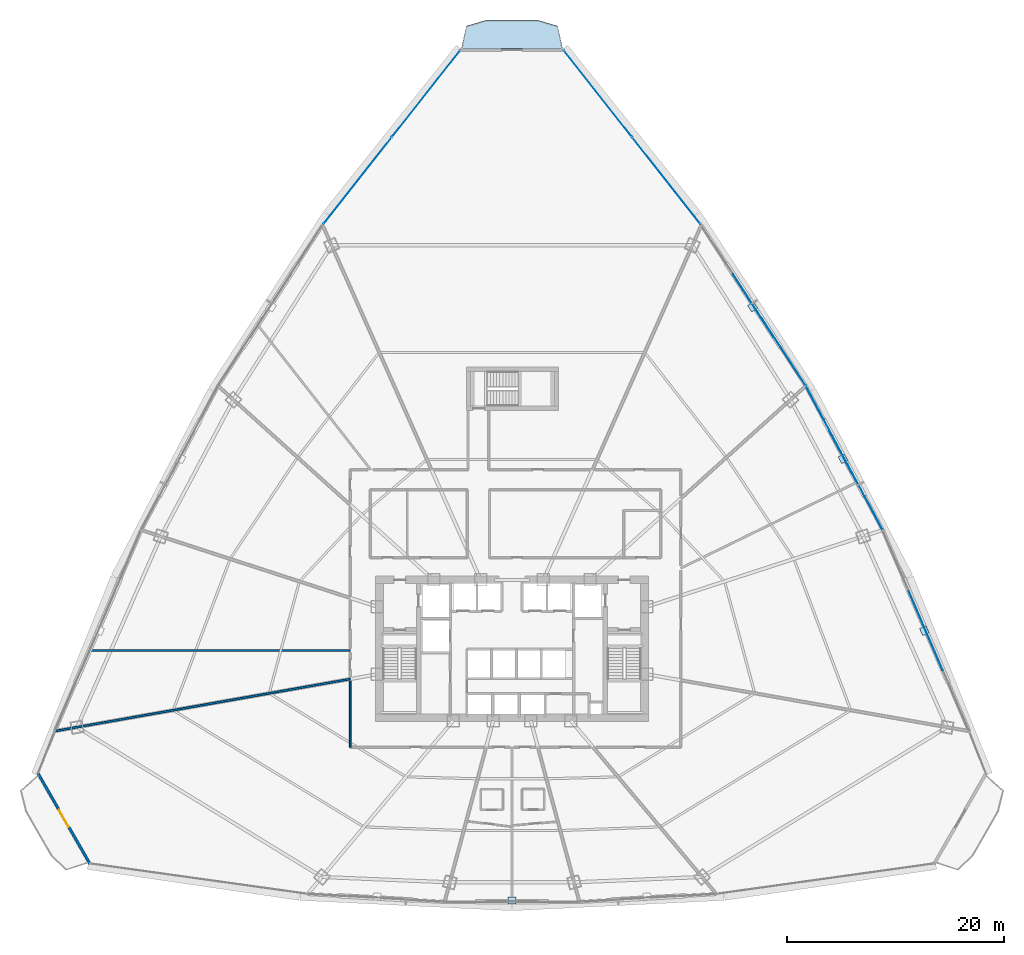
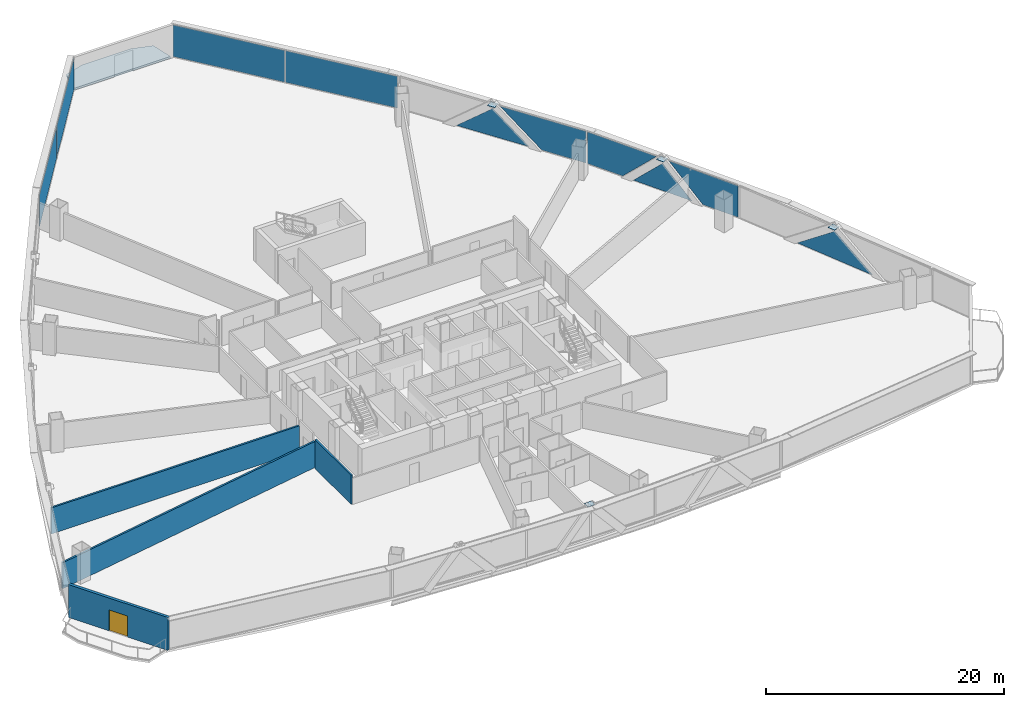
# One storey, part 29 of 38: 14 plates, 4 walls, 1 door, 1 slab, 1 opening, 5 elements without a shape of their own.
"""IFC4 building model written with IfcOpenShell, lengths in metres."""

from ifc_helpers import new_model, si_unit, direction, frame, frame_2d, origin, origin_with_axes, origin_2d, place, context, subcontext, project, spatial, polyline, rectangle, outline, extrude, source, transform, mapped, material, layer, layer_set, type_object, element, fill, aggregate, save


model = new_model("IFC4")

# Units and contexts
model_context = context("Model", 3, precision=1e-05, world=origin(), true_north=direction((0.0, 1.0)))
body_context = subcontext(model_context, "Body", "Model", "MODEL_VIEW")
ifc_project = project(units=[si_unit("LENGTHUNIT", "METRE"), si_unit("AREAUNIT", "SQUARE_METRE"), si_unit("VOLUMEUNIT", "CUBIC_METRE"), si_unit("PLANEANGLEUNIT", "RADIAN"), si_unit("MASSUNIT", "GRAM", prefix="KILO"), si_unit("THERMODYNAMICTEMPERATUREUNIT", "KELVIN"), si_unit("POWERUNIT", "WATT")], contexts=[model_context])

# Site, building, storey
site_placement = place(None, origin())
site = spatial("IfcSite", under=ifc_project, at=site_placement, CompositionType="ELEMENT")
building_placement = place(site_placement, origin())
building = spatial("IfcBuilding", under=site, at=building_placement, Name="Yunzhuo Pagoda Commons", CompositionType="ELEMENT")
storey_placement = place(building_placement, frame((0.0, 0.0, 37.659912109375)))
storey = spatial("IfcBuildingStorey", under=building, at=storey_placement, Name="L09", CompositionType="ELEMENT", Elevation=37.659912109375)

# Curtain wall, plate
ifc_material_1 = material(Name="Anodized aluminium 6063-T6", Category="aluminium")
ifc_layer_1 = layer(ifc_material_1, 0.1650390625)
ifc_layer_set_1 = layer_set([ifc_layer_1], Name="Anodized aluminium 6063-T6")
curtain_wall_type = type_object("IfcCurtainWallType", Name="CW-LOW Low-Zone Ribbon Curtain Wall", PredefinedType="NOTDEFINED", material=ifc_layer_set_1)
curtain_wall_1_placement = place(storey_placement, origin())
curtain_wall_1 = element("IfcCurtainWall", 1, at=curtain_wall_1_placement, inside=storey, type_object=curtain_wall_type, Name="L09 curtain wall CW-L09-F2B2", PredefinedType="NOTDEFINED")
ifc_material_2 = material(Name="Tempered low-e double glazing", Category="glass")
ifc_layer_2 = layer(ifc_material_2, 0.028076171875)
ifc_layer_set_2 = layer_set([ifc_layer_2], Name="Tempered low-e double glazing")
plate_type_1 = type_object("IfcPlateType", Name="CW-LOW-P Low-E Double Glazing 28", PredefinedType="CURTAIN_PANEL", material=ifc_layer_set_2)
plate_1_placement = place(storey_placement, frame((86.0791015625, 35.517578125, 1.48095703125), z_axis=(0.918745212535, 0.394850901535, 0.0), x_axis=(-0.394850901535, 0.918745212535, 0.0)))
plate_1 = element("IfcPlate", 2, at=plate_1_placement, type_object=plate_type_1, Name="CW panel 1.1 lite 2", PredefinedType="CURTAIN_PANEL", context=body_context, shape_type="SweptSolid", body=[
    extrude(outline(polyline([(-3.944091796875, -1.4208984375), (3.944091796875, -1.4208984375), (0.0, 1.4208984375), (-3.944091796875, -1.4208984375)])), origin(), (0.0, 0.0, 1.0), 0.028076171875),
])
aggregate(curtain_wall_1, [plate_1])

# Curtain wall, plates
curtain_wall_2_placement = place(storey_placement, origin())
curtain_wall_2 = element("IfcCurtainWall", 3, at=curtain_wall_2_placement, inside=storey, type_object=curtain_wall_type, Name="L09 curtain wall CW-L09-F2B3", PredefinedType="NOTDEFINED")
plate_2_placement = place(storey_placement, frame((80.4853515625, 47.863525390625, 1.68505859375), z_axis=(0.882141395132, 0.470984669595, 0.0), x_axis=(-0.470984669595, 0.882141395132, 0.0)))
plate_2 = element("IfcPlate", 4, at=plate_2_placement, type_object=plate_type_1, Name="CW panel 1.1 lite 1", PredefinedType="CURTAIN_PANEL", context=body_context, shape_type="SweptSolid", body=[
    extrude(outline(polyline([(-3.42333984375, -1.625), (0.056396484375, -1.625), (3.423095703125, 1.625), (-3.42333984375, 1.625), (-3.42333984375, -1.625)])), origin(), (0.0, 0.0, 1.0), 0.028076171875),
])
plate_3_placement = place(storey_placement, frame((78.5595703125, 51.406494140625, 1.450927734375), z_axis=(0.882141395132, 0.470984669595, 0.0), x_axis=(-0.470984669595, 0.882141395132, 0.0)))
plate_3 = element("IfcPlate", 5, at=plate_3_placement, type_object=plate_type_1, Name="CW panel 1.1 lite 2", PredefinedType="CURTAIN_PANEL", context=body_context, shape_type="SweptSolid", body=[
    extrude(outline(polyline([(-2.881591796875, -1.390869140625), (2.881591796875, -1.390869140625), (0.0, 1.390869140625), (-2.881591796875, -1.390869140625)])), origin(), (0.0, 0.0, 1.0), 0.028076171875),
])
plate_4_placement = place(storey_placement, frame((76.686767578125, 54.97802734375, 1.68505859375), z_axis=(0.882141395132, 0.470984669595, 0.0), x_axis=(-0.470984669595, 0.882141395132, 0.0)))
plate_4 = element("IfcPlate", 6, at=plate_4_placement, type_object=plate_type_1, Name="CW panel 1.1 lite 3", PredefinedType="CURTAIN_PANEL", context=body_context, shape_type="SweptSolid", body=[
    extrude(outline(polyline([(-3.423095703125, 1.625), (-0.056396484375, -1.625), (3.423095703125, -1.625), (3.423095703125, 1.625), (-3.423095703125, 1.625)])), origin(), (0.0, 0.0, 1.0), 0.028076171875),
])
aggregate(curtain_wall_2, [plate_2, plate_3, plate_4])

curtain_wall_3_placement = place(storey_placement, origin())
curtain_wall_3 = element("IfcCurtainWall", 7, at=curtain_wall_3_placement, inside=storey, type_object=curtain_wall_type, Name="L09 curtain wall CW-L09-F2B4", PredefinedType="NOTDEFINED")
plate_5_placement = place(storey_placement, frame((72.805419921875, 61.501953125, 1.68505859375), z_axis=(0.83865240069, 0.544667009114, 0.0), x_axis=(-0.544667009114, 0.83865240069, 0.0)))
plate_5 = element("IfcPlate", 8, at=plate_5_placement, type_object=plate_type_1, Name="CW panel 1.1 lite 1", PredefinedType="CURTAIN_PANEL", context=body_context, shape_type="SweptSolid", body=[
    extrude(outline(polyline([(-4.0458984375, -1.625), (0.09375, -1.625), (4.046142578125, 1.625), (-4.0458984375, 1.625), (-4.0458984375, -1.625)])), origin(), (0.0, 0.0, 1.0), 0.028076171875),
])
plate_6_placement = place(storey_placement, frame((70.2109375, 65.441650390625, 1.468994140625), z_axis=(0.83865240069, 0.544667009114, 0.0), x_axis=(-0.544667009114, 0.83865240069, 0.0)))
plate_6 = element("IfcPlate", 9, at=plate_6_placement, type_object=plate_type_1, Name="CW panel 1.1 lite 2", PredefinedType="CURTAIN_PANEL", context=body_context, shape_type="SweptSolid", body=[
    extrude(outline(polyline([(-3.4267578125, -1.408935546875), (3.4267578125, -1.408935546875), (0.0, 1.408935546875), (-3.4267578125, -1.408935546875)])), origin(), (0.0, 0.0, 1.0), 0.028076171875),
])
aggregate(curtain_wall_3, [plate_5, plate_6])

# Slab
ifc_material_3 = material(Name="Concrete C40", Category="concrete")
ifc_layer_3 = layer(ifc_material_3, 0.199951171875)
ifc_layer_set_3 = layer_set([ifc_layer_3], Name="Concrete C40")
slab_type = type_object("IfcSlabType", Name="SL-BAL Vertex Balcony Deck Slab 200", PredefinedType="FLOOR", material=ifc_layer_set_3)
slab_placement = place(storey_placement, frame((0.0, 0.0, -0.199951171875)))
element("IfcSlab", 10, at=slab_placement, inside=storey, type_object=slab_type, Name="L09 corner balcony V3", PredefinedType="FLOOR", context=body_context, shape_type="SweptSolid", body=[
    extrude(outline(polyline([(52.66357421875, 89.11572265625), (43.33642578125, 89.11572265625), (43.786376953125, 91.210693359375), (45.668212890625, 91.7607421875), (50.331787109375, 91.7607421875), (52.213623046875, 91.210693359375), (52.66357421875, 89.11572265625)])), origin(), (0.0, 0.0, 1.0), 0.199951171875),
])

# Plates
ifc_material_4 = material(Name="Structural steel Q355B", Category="steel")
ifc_layer_4 = layer(ifc_material_4, 0.028076171875)
ifc_layer_set_4 = layer_set([ifc_layer_4], Name="Structural steel Q355B")
plate_type_2 = type_object("IfcPlateType", Name="SP-ND1 Lattice Node Cap Plate 800x500x28", PredefinedType="USERDEFINED", material=ifc_layer_set_4)
shared_shape_1 = source(origin(), body_context, "Body", "SweptSolid", [
    extrude(rectangle(XDim=0.699951171875, YDim=0.613037109375, at=origin_2d()), origin(), (0.0, 0.0, 1.0), 0.035888671875),
])
plate_7_placement = place(storey_placement, frame((48.0, 10.6796875, 3.33203125), z_axis=(0.0, 0.0, 1.0), x_axis=(1.0, 0.0, 0.0)))
element("IfcPlate", 11, at=plate_7_placement, inside=storey, type_object=plate_type_2, Name="L09 setback lattice tie plate F1.2L", ObjectType="STIFFENER_PLATE", PredefinedType="USERDEFINED", context=body_context, shape_type="MappedRepresentation", body=[
    mapped(shared_shape_1, transform((0.0, 0.0, 0.0), scale=1.0)),
])
shared_shape_2 = source(origin(), body_context, "Body", "SweptSolid", [
    extrude(rectangle(XDim=0.699951171875, YDim=0.654296875, at=origin_2d()), origin(), (0.0, 0.0, 1.0), 0.035888671875),
])
plate_8_placement = place(storey_placement, frame((85.967529296875, 35.528076171875, 3.33203125), z_axis=(0.0, 0.0, 1.0), x_axis=(-0.39485610496, 0.918742976232, 0.0)))
element("IfcPlate", 12, at=plate_8_placement, inside=storey, type_object=plate_type_2, Name="L09 setback lattice tie plate F2.1L", ObjectType="STIFFENER_PLATE", PredefinedType="USERDEFINED", context=body_context, shape_type="MappedRepresentation", body=[
    mapped(shared_shape_2, transform((0.0, 0.0, 0.0), scale=1.0)),
])
shared_shape_3 = source(origin(), body_context, "Body", "SweptSolid", [
    extrude(rectangle(XDim=0.699951171875, YDim=0.6259765625, at=origin_2d()), origin(), (0.0, 0.0, 1.0), 0.035888671875),
])
plate_9_placement = place(storey_placement, frame((78.47900390625, 51.3583984375, 3.33203125), z_axis=(0.0, 0.0, 1.0), x_axis=(-0.470981088896, 0.882143306897, 0.0)))
element("IfcPlate", 13, at=plate_9_placement, inside=storey, type_object=plate_type_2, Name="L09 setback lattice tie plate F2.2L", ObjectType="STIFFENER_PLATE", PredefinedType="USERDEFINED", context=body_context, shape_type="MappedRepresentation", body=[
    mapped(shared_shape_3, transform((0.0, 0.0, 0.0), scale=1.0)),
])
shared_shape_4 = source(origin(), body_context, "Body", "SweptSolid", [
    extrude(rectangle(XDim=0.699951171875, YDim=0.648681640625, at=origin_2d()), origin(), (0.0, 0.0, 1.0), 0.035888671875),
])
plate_10_placement = place(storey_placement, frame((70.162109375, 65.34326171875, 3.33203125), z_axis=(0.0, 0.0, 1.0), x_axis=(-0.544668309809, 0.838651555946, 0.0)))
element("IfcPlate", 14, at=plate_10_placement, inside=storey, type_object=plate_type_2, Name="L09 setback lattice tie plate F2.3L", ObjectType="STIFFENER_PLATE", PredefinedType="USERDEFINED", context=body_context, shape_type="MappedRepresentation", body=[
    mapped(shared_shape_4, transform((0.0, 0.0, 0.0), scale=1.0)),
])

# Curtain wall, plates
curtain_wall_4_placement = place(storey_placement, origin())
curtain_wall_4 = element("IfcCurtainWall", 15, at=curtain_wall_4_placement, inside=storey, type_object=curtain_wall_type, Name="L09 curtain wall CW-L09-F2B5", PredefinedType="NOTDEFINED")
shared_shape_5 = source(origin(), body_context, "Body", "SweptSolid", [
    extrude(rectangle(XDim=10.116455078125, YDim=0.028076171875, at=origin_2d()), origin(), (0.0, 0.0, 1.0), 3.25),
])
plate_11_placement = place(storey_placement, frame((62.224365234375, 76.954345703125, 0.06005859375), z_axis=(0.0, 0.0, 1.0), x_axis=(-0.618481153932, 0.785799632369, 0.0)))
plate_11 = element("IfcPlate", 16, at=plate_11_placement, type_object=plate_type_1, Name="CW panel 1.1", PredefinedType="CURTAIN_PANEL", context=body_context, shape_type="MappedRepresentation", body=[
    mapped(shared_shape_5, transform((0.0, 0.0, 0.0), scale=1.0)),
])
plate_12_placement = place(storey_placement, frame((55.92724609375, 84.954833984375, 0.06005859375), z_axis=(0.0, 0.0, 1.0), x_axis=(-0.618481153932, 0.785799632369, 0.0)))
plate_12 = element("IfcPlate", 17, at=plate_12_placement, type_object=plate_type_1, Name="CW panel 2.1", PredefinedType="CURTAIN_PANEL", context=body_context, shape_type="MappedRepresentation", body=[
    mapped(shared_shape_5, transform((0.0, 0.0, 0.0), scale=1.0)),
])
aggregate(curtain_wall_4, [plate_11, plate_12])

curtain_wall_5_placement = place(storey_placement, origin())
curtain_wall_5 = element("IfcCurtainWall", 18, at=curtain_wall_5_placement, inside=storey, type_object=curtain_wall_type, Name="L09 curtain wall CW-L09-F3B1", PredefinedType="NOTDEFINED")
plate_13_placement = place(storey_placement, frame((40.07275390625, 84.954833984375, 0.06005859375), z_axis=(0.0, 0.0, 1.0), x_axis=(-0.618481153932, -0.785799632369, 0.0)))
plate_13 = element("IfcPlate", 19, at=plate_13_placement, type_object=plate_type_1, Name="CW panel 1.1", PredefinedType="CURTAIN_PANEL", context=body_context, shape_type="MappedRepresentation", body=[
    mapped(shared_shape_5, transform((0.0, 0.0, 0.0), scale=1.0)),
])
plate_14_placement = place(storey_placement, frame((33.775634765625, 76.954345703125, 0.06005859375), z_axis=(0.0, 0.0, 1.0), x_axis=(-0.618481153932, -0.785799632369, 0.0)))
plate_14 = element("IfcPlate", 20, at=plate_14_placement, type_object=plate_type_1, Name="CW panel 2.1", PredefinedType="CURTAIN_PANEL", context=body_context, shape_type="MappedRepresentation", body=[
    mapped(shared_shape_5, transform((0.0, 0.0, 0.0), scale=1.0)),
])
aggregate(curtain_wall_5, [plate_13, plate_14])

# Wall, opening, door
ifc_material_5 = material(Name="Precast concrete C40", Category="concrete")
ifc_layer_5 = layer(ifc_material_5, 0.260009765625)
ifc_layer_set_5 = layer_set([ifc_layer_5], Name="Precast concrete C40")
wall_type_1 = type_object("IfcWallType", Name="W-BAL1 Corner Balcony Threshold Wall 260", PredefinedType="STANDARD", material=ifc_layer_set_5)
wall_1_placement = place(storey_placement, frame((4.329345703125, 22.4169921875, 0.0), z_axis=(0.0, 0.0, 1.0), x_axis=(0.497938580997, -0.867212297857, 0.0)))
wall_1 = element("IfcWall", 21, at=wall_1_placement, inside=storey, type_object=wall_type_1, Name="L09 corner balcony wall V1", PredefinedType="STANDARD", context=body_context, shape_type="SweptSolid", body=[
    extrude(rectangle(XDim=9.665771484375, YDim=0.260009765625, at=frame_2d((4.8330078125, 0.0))), origin(), (0.0, 0.0, 1.0), 3.3701171875),
])
opening_placement = place(wall_1_placement, frame((3.93310546875, 0.0, 0.0)))
opening = element("IfcOpeningElement", 22, at=opening_placement, cuts=wall_1, Name="Opening D-BAL1", PredefinedType="OPENING", context=body_context, shape_type="SweptSolid", body=[
    extrude(rectangle(XDim=1.800048828125, YDim=2.14990234375, at=frame_2d((0.89990234375, 1.074951171875))), frame((0.0, 0.14013671875, 0.0), z_axis=(0.0, -1.0, 0.0), x_axis=(1.0, 0.0, 0.0)), (0.0, 0.0, 1.0), 0.280029296875),
])
ifc_material_6 = material(Name="Anodized aluminium frame and tempered glazed leaf", Category="aluminium")
door_type = type_object("IfcDoorType", Name="D-BAL1 Corner Balcony Sliding Glazed Door 1800x2150", OperationType="DOUBLE_DOOR_SLIDING", PredefinedType="DOOR", material=ifc_material_6)
shared_shape_6 = source(origin(), body_context, "Body", "SweptSolid", [
    extrude(rectangle(XDim=1.800048828125, YDim=2.14990234375, at=frame_2d((0.89990234375, 1.074951171875))), frame((0.0, 0.02490234375, 0.0), z_axis=(0.0, -1.0, 0.0), x_axis=(1.0, 0.0, 0.0)), (0.0, 0.0, 1.0), 0.050048828125),
])
door_placement = place(opening_placement, origin_with_axes())
door = element("IfcDoor", 23, at=door_placement, inside=storey, type_object=door_type, Name="L09 corner balcony sliding door V1", OperationType="DOUBLE_DOOR_SLIDING", OverallHeight=2.14990234375, OverallWidth=1.800048828125, PredefinedType="DOOR", context=body_context, shape_type="MappedRepresentation", body=[
    mapped(shared_shape_6, transform((0.0, 0.0, 0.0), scale=1.0)),
])
fill(opening, door)

# Walls
ifc_material_7 = material(Name="Gypsum plasterboard on acoustic stud")
ifc_layer_6 = layer(ifc_material_7, 0.159912109375)
ifc_layer_set_6 = layer_set([ifc_layer_6], Name="Gypsum plasterboard on acoustic stud")
wall_type_2 = type_object("IfcWallType", Name="W-COR1 Tower Rated Corridor Wall 160", PredefinedType="PARTITIONING", material=ifc_layer_set_6)
wall_2_placement = place(storey_placement, frame((33.10009765625, 24.800048828125, 0.0), z_axis=(0.0, 0.0, 1.0), x_axis=(0.0, 1.0, 0.0)))
element("IfcWall", 24, at=wall_2_placement, inside=storey, type_object=wall_type_2, Name="L09 interior wall IW-L09-CWL01", PredefinedType="PARTITIONING", context=body_context, shape_type="SweptSolid", body=[
    extrude(rectangle(XDim=6.04931640625, YDim=0.159912109375, at=frame_2d((3.024658203125, 0.0))), origin(), (0.0, 0.0, 1.0), 2.969970703125),
])
ifc_layer_7 = layer(ifc_material_7, 0.179931640625)
ifc_layer_set_7 = layer_set([ifc_layer_7], Name="Gypsum plasterboard on acoustic stud")
wall_type_3 = type_object("IfcWallType", Name="W-PRT2 Acoustic Unit Demising Wall 180", PredefinedType="PARTITIONING", material=ifc_layer_set_7)
wall_3_placement = place(storey_placement, frame((33.10009765625, 33.699951171875, 0.0), z_axis=(0.0, 0.0, 1.0), x_axis=(-1.0, 0.0, 0.0)))
element("IfcWall", 25, at=wall_3_placement, inside=storey, type_object=wall_type_3, Name="L09 interior wall IW-L09-RAD08", PredefinedType="PARTITIONING", context=body_context, shape_type="SweptSolid", body=[
    extrude(rectangle(XDim=24.00830078125, YDim=0.179931640625, at=frame_2d((12.004150390625, 0.0))), origin(), (0.0, 0.0, 1.0), 2.670166015625),
])
wall_4_placement = place(storey_placement, frame((33.10009765625, 31.07275390625, 0.0), z_axis=(0.0, 0.0, 1.0), x_axis=(-0.98480731051, -0.173650687201, 0.0)))
element("IfcWall", 26, at=wall_4_placement, inside=storey, type_object=wall_type_3, Name="L09 interior wall IW-L09-RAD09", PredefinedType="PARTITIONING", context=body_context, shape_type="SweptSolid", body=[
    extrude(rectangle(XDim=27.6181640625, YDim=0.179931640625, at=frame_2d((13.80908203125, 0.0))), origin(), (0.0, 0.0, 1.0), 2.670166015625),
])

save(model, "model.ifc")
